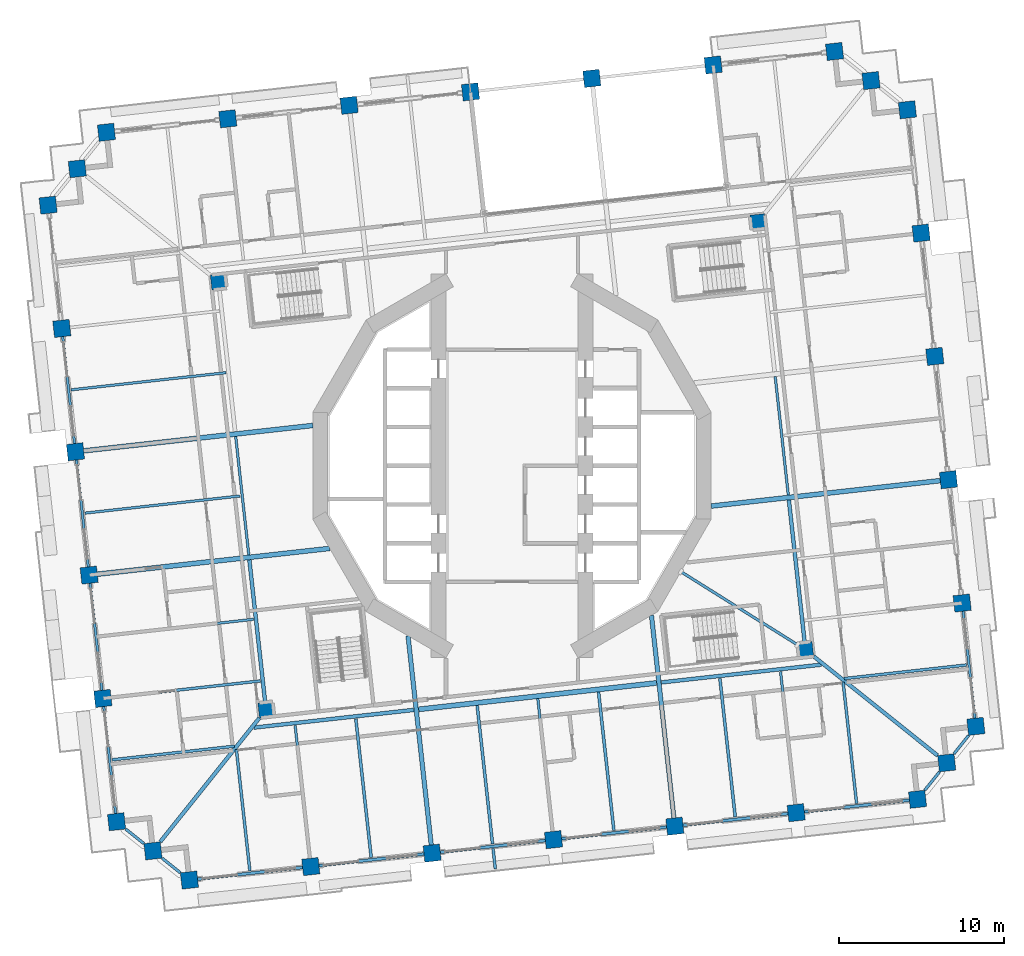
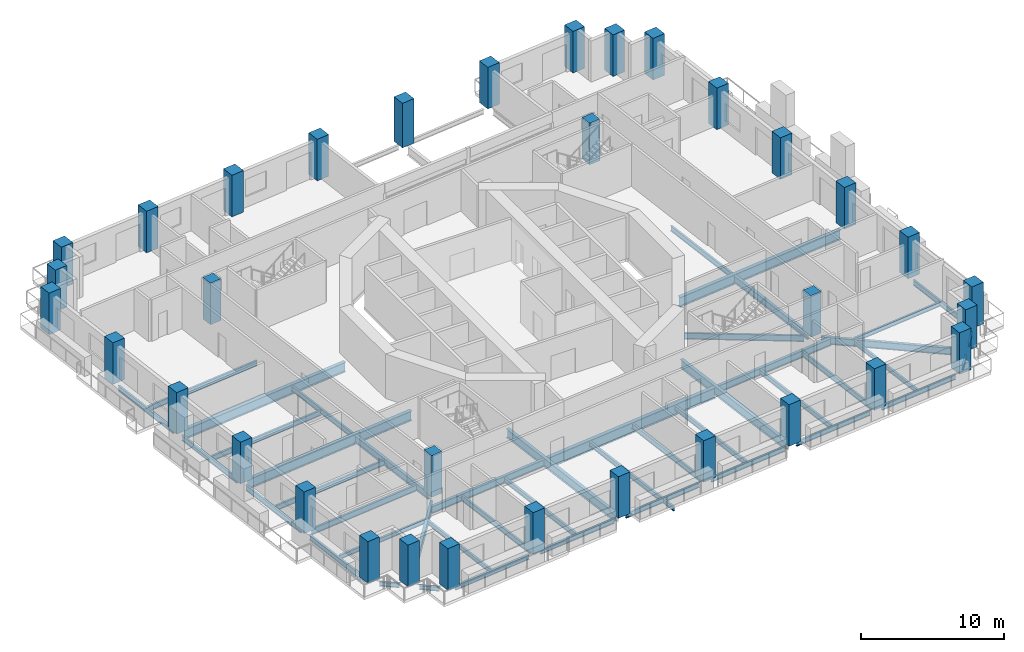
# One storey, part 1 of 20: 46 beams, 34 columns.
"""IFC4 building model written with IfcOpenShell, lengths in metres."""

from ifc_helpers import new_model, si_unit, direction, frame, origin, origin_2d, place, context, subcontext, project, spatial, rectangle, i_section, extrude, material, material_profile, profile_set, type_object, element, save


model = new_model("IFC4")

# Units and contexts
model_context = context("Model", 3, precision=1e-05, world=origin(), true_north=direction((0.0, 1.0)))
body_context = subcontext(model_context, "Body", "Model", "MODEL_VIEW")
ifc_project = project(units=[si_unit("LENGTHUNIT", "METRE"), si_unit("AREAUNIT", "SQUARE_METRE"), si_unit("VOLUMEUNIT", "CUBIC_METRE"), si_unit("PLANEANGLEUNIT", "RADIAN"), si_unit("MASSUNIT", "GRAM", prefix="KILO")], contexts=[model_context])

# Site, building, storey
site_placement = place(None, origin())
site = spatial("IfcSite", under=ifc_project, at=site_placement, CompositionType="ELEMENT")
building_placement = place(site_placement, origin())
building = spatial("IfcBuilding", under=site, at=building_placement, Name="Cantera Rosa Tower", CompositionType="ELEMENT")
storey_placement = place(building_placement, frame((0.0, 0.0, 46.300048828125)))
storey = spatial("IfcBuildingStorey", under=building, at=storey_placement, Name="L08", CompositionType="ELEMENT", Elevation=46.300048828125)

# Columns
ifc_material_1 = material(Name="Concrete C70/85", Category="concrete")
ifc_material_profile_1 = material_profile(ifc_material_1, rectangle(XDim=1.0, YDim=1.0, at=origin_2d()), Name="RC COLUMN RC1000X1000 C70/85")
ifc_profile_set_1 = profile_set([ifc_material_profile_1], Name="Concrete C70/85")
column_type_1 = type_object("IfcColumnType", Name="RC COLUMN RC1000X1000 C70/85", PredefinedType="COLUMN", material=ifc_profile_set_1)
for number, where, z_axis, x_axis, name in (
    (1, (28.114013671875, -15.795166015625, 0.0), (0.0, 0.0, 1.0), (0.993896946415, 0.110312555526, 0.0), "C-Z1-01 L08"),
    (2, (27.284423828125, -8.321044921875, 0.0), (0.0, 0.0, 1.0), (0.993896946415, 0.110312555526, 0.0), "C-Z1-02 L08"),
    (3, (26.454833984375, -0.846923828125, 0.0), (0.0, 0.0, 1.0), (0.993896946415, 0.110312555526, 0.0), "C-Z1-03 L08"),
    (4, (25.625244140625, 6.627197265625, 0.0), (0.0, 0.0, 1.0), (0.993896946415, 0.110312555526, 0.0), "C-Z1-04 L08"),
    (5, (24.795654296875, 14.101318359375, 0.0), (0.0, 0.0, 1.0), (0.993896946415, 0.110312555526, 0.0), "C-Z1-05 L08"),
    (6, (23.96630859375, 21.575439453125, 0.0), (0.0, 0.0, 1.0), (0.993896946415, 0.110312555526, 0.0), "C-Z1-06 L08"),
    (7, (21.7578125, 23.342529296875, 0.0), (0.0, 0.0, 1.0), (0.993896946415, 0.110312555526, 0.0), "C-Z1-07 L08"),
    (8, (19.54931640625, 25.10986328125, 0.0), (0.0, 0.0, 1.0), (0.993896946415, 0.110312555526, 0.0), "C-Z1-08 L08"),
    (9, (12.194580078125, 24.29345703125, 0.0), (0.0, 0.0, 1.0), (0.993896946415, 0.110312555526, 0.0), "C-Z1-09 L08"),
):
    element("IfcColumn", number, at=place(storey_placement, frame(where, z_axis=z_axis, x_axis=x_axis)), inside=storey, type_object=column_type_1, Name=name, PredefinedType="COLUMN", context=body_context, shape_type="SweptSolid", body=[
        extrude(rectangle(XDim=1.0, YDim=1.0, at=origin_2d()), origin(), (0.0, 0.0, 1.0), 3.550048828125),
    ])
column_placement = place(storey_placement, frame((4.839599609375, 23.47705078125, -0.25), z_axis=(0.0, 0.0, 1.0), x_axis=(0.993896946415, 0.110312555526, 0.0)))
element("IfcColumn", 10, at=column_placement, inside=storey, type_object=column_type_1, Name="C-Z1-10 L08", PredefinedType="COLUMN", context=body_context, shape_type="SweptSolid", body=[
    extrude(rectangle(XDim=1.0, YDim=1.0, at=origin_2d()), origin(), (0.0, 0.0, 1.0), 3.800048828125),
])
for number, where, z_axis, x_axis, name in (
    (11, (-2.51513671875, 22.660888671875, 0.0), (0.0, 0.0, 1.0), (0.993896946415, 0.110312555526, 0.0), "C-Z1-11 L08"),
    (12, (-9.869873046875, 21.844482421875, 0.0), (0.0, 0.0, 1.0), (0.993896946415, 0.110312555526, 0.0), "C-Z1-12 L08"),
    (13, (-17.224853515625, 21.0283203125, 0.0), (0.0, 0.0, 1.0), (0.993896946415, 0.110312555526, 0.0), "C-Z1-13 L08"),
    (14, (-24.57958984375, 20.2119140625, 0.0), (0.0, 0.0, 1.0), (0.993896946415, 0.110312555526, 0.0), "C-Z1-14 L08"),
    (15, (-26.346923828125, 18.00341796875, 0.0), (0.0, 0.0, 1.0), (0.993896946415, 0.110312555526, 0.0), "C-Z1-15 L08"),
    (16, (-28.114013671875, 15.795166015625, 0.0), (0.0, 0.0, 1.0), (0.993896946415, 0.110312555526, 0.0), "C-Z1-16 L08"),
    (17, (-27.284423828125, 8.321044921875, 0.0), (0.0, 0.0, 1.0), (0.993896946415, 0.110312555526, 0.0), "C-Z1-17 L08"),
    (18, (-26.454833984375, 0.846923828125, 0.0), (0.0, 0.0, 1.0), (0.993896946415, 0.110312555526, 0.0), "C-Z1-18 L08"),
    (19, (-25.625244140625, -6.627197265625, 0.0), (0.0, 0.0, 1.0), (0.993896946415, 0.110312555526, 0.0), "C-Z1-19 L08"),
    (20, (-24.795654296875, -14.101318359375, 0.0), (0.0, 0.0, 1.0), (0.993896946415, 0.110312555526, 0.0), "C-Z1-20 L08"),
    (21, (-23.96630859375, -21.575439453125, 0.0), (0.0, 0.0, 1.0), (0.993896946415, 0.110312555526, 0.0), "C-Z1-21 L08"),
    (22, (-21.7578125, -23.342529296875, 0.0), (0.0, 0.0, 1.0), (0.993896946415, 0.110312555526, 0.0), "C-Z1-22 L08"),
    (23, (-19.54931640625, -25.10986328125, 0.0), (0.0, 0.0, 1.0), (0.993896946415, 0.110312555526, 0.0), "C-Z1-23 L08"),
    (24, (-12.194580078125, -24.29345703125, 0.0), (0.0, 0.0, 1.0), (0.993896946415, 0.110312555526, 0.0), "C-Z1-24 L08"),
    (25, (-4.839599609375, -23.47705078125, 0.0), (0.0, 0.0, 1.0), (0.993896946415, 0.110312555526, 0.0), "C-Z1-25 L08"),
    (26, (2.51513671875, -22.660888671875, 0.0), (0.0, 0.0, 1.0), (0.993896946415, 0.110312555526, 0.0), "C-Z1-26 L08"),
    (27, (9.869873046875, -21.844482421875, 0.0), (0.0, 0.0, 1.0), (0.993896946415, 0.110312555526, 0.0), "C-Z1-27 L08"),
    (28, (17.224853515625, -21.0283203125, 0.0), (0.0, 0.0, 1.0), (0.993896946415, 0.110312555526, 0.0), "C-Z1-28 L08"),
    (29, (24.57958984375, -20.2119140625, 0.0), (0.0, 0.0, 1.0), (0.993896946415, 0.110312555526, 0.0), "C-Z1-29 L08"),
    (30, (26.346923828125, -18.00341796875, 0.0), (0.0, 0.0, 1.0), (0.993896946415, 0.110312555526, 0.0), "C-Z1-30 L08"),
):
    element("IfcColumn", number, at=place(storey_placement, frame(where, z_axis=z_axis, x_axis=x_axis)), inside=storey, type_object=column_type_1, Name=name, PredefinedType="COLUMN", context=body_context, shape_type="SweptSolid", body=[
        extrude(rectangle(XDim=1.0, YDim=1.0, at=origin_2d()), origin(), (0.0, 0.0, 1.0), 3.550048828125),
    ])
ifc_material_2 = material(Name="Concrete C70/85", Category="concrete")
ifc_material_profile_2 = material_profile(ifc_material_2, rectangle(XDim=0.89990234375, YDim=0.89990234375, at=origin_2d()), Name="RC RING COLUMN RC900X900 C70/85")
ifc_profile_set_2 = profile_set([ifc_material_profile_2], Name="Concrete C70/85")
column_type_2 = type_object("IfcColumnType", Name="RC RING COLUMN RC900X900 C70/85", PredefinedType="COLUMN", material=ifc_profile_set_2)
for number, where, z_axis, x_axis, name in (
    (31, (14.909912109375, 14.784912109375, 0.0), (0.0, 0.0, 1.0), (0.993896946415, 0.110312555526, 0.0), "CI-Z1-1 L08"),
    (32, (-17.7890625, 11.15576171875, 0.0), (0.0, 0.0, 1.0), (0.993896946415, 0.110312555526, 0.0), "CI-Z1-2 L08"),
    (33, (-14.909912109375, -14.784912109375, 0.0), (0.0, 0.0, 1.0), (0.993896946415, 0.110312555526, 0.0), "CI-Z1-3 L08"),
    (34, (17.7890625, -11.15576171875, 0.0), (0.0, 0.0, 1.0), (0.993896946415, 0.110312555526, 0.0), "CI-Z1-4 L08"),
):
    element("IfcColumn", number, at=place(storey_placement, frame(where, z_axis=z_axis, x_axis=x_axis)), inside=storey, type_object=column_type_2, Name=name, PredefinedType="COLUMN", context=body_context, shape_type="SweptSolid", body=[
        extrude(rectangle(XDim=0.89990234375, YDim=0.89990234375, at=origin_2d()), origin(), (0.0, 0.0, 1.0), 3.550048828125),
    ])

# Beams
ifc_material_3 = material(Name="Steel ASTM A992 (Fy 345 MPa)", Category="steel")
ifc_material_profile_3 = material_profile(ifc_material_3, i_section(OverallWidth=0.154052734375, OverallDepth=0.4599609375, WebThickness=0.009033203125, FlangeThickness=0.015380859375, FilletRadius=0.01025390625, at=origin_2d()), Name="W460X68")
ifc_profile_set_3 = profile_set([ifc_material_profile_3], Name="Steel ASTM A992 (Fy 345 MPa)")
beam_type_1 = type_object("IfcBeamType", Name="STEEL BEAM W460X68", PredefinedType="BEAM", material=ifc_profile_set_3)
beam_1_placement = place(storey_placement, frame((-12.249755859375, -23.796630859375, -0.47998046875), z_axis=(-0.110312435488, 0.993896959738, 0.0), x_axis=(-0.993896959738, -0.110312435488, 0.0)))
element("IfcBeam", 35, at=beam_1_placement, inside=storey, type_object=beam_type_1, Name="G-Z1-10 L08", PredefinedType="BEAM", context=body_context, shape_type="SweptSolid", body=[
    extrude(i_section(OverallWidth=0.154052734375, OverallDepth=0.4599609375, WebThickness=0.009033203125, FlangeThickness=0.015380859375, FilletRadius=0.01025390625, at=origin_2d()), origin(), (0.0, 0.0, 1.0), 8.10009765625),
])
for number, where, z_axis, x_axis, name in (
    (36, (2.4599609375, -22.163818359375, -0.47998046875), (-0.110315740112, 0.993896592953, 0.0), (-0.993896592953, -0.110315740112, 0.0), "G-Z1-12 L08"),
    (37, (17.169677734375, -20.53125, -0.47998046875), (-0.110315740112, 0.993896592953, 0.0), (-0.993896592953, -0.110315740112, 0.0), "G-Z1-14 L08"),
):
    element("IfcBeam", number, at=place(storey_placement, frame(where, z_axis=z_axis, x_axis=x_axis)), inside=storey, type_object=beam_type_1, Name=name, PredefinedType="BEAM", context=body_context, shape_type="SweptSolid", body=[
        extrude(i_section(OverallWidth=0.154052734375, OverallDepth=0.4599609375, WebThickness=0.009033203125, FlangeThickness=0.015380859375, FilletRadius=0.01025390625, at=origin_2d()), origin(), (0.0, 0.0, 1.0), 8.099853515625),
    ])
for number, where, z_axis, x_axis, name in (
    (38, (16.747802734375, -1.7734375, -0.47998046875), (-0.110301629462, 0.993898159037, 0.0), (-0.993898159037, -0.110301629462, 0.0), "RB-Z1-08 L08"),
    (39, (-15.951416015625, -5.402587890625, -0.47998046875), (-0.110301629462, 0.993898159037, 0.0), (-0.993898159037, -0.110301629462, 0.0), "RB-Z1-11 L08"),
):
    element("IfcBeam", number, at=place(storey_placement, frame(where, z_axis=z_axis, x_axis=x_axis)), inside=storey, type_object=beam_type_1, Name=name, PredefinedType="BEAM", context=body_context, shape_type="SweptSolid", body=[
        extrude(i_section(OverallWidth=0.154052734375, OverallDepth=0.4599609375, WebThickness=0.009033203125, FlangeThickness=0.015380859375, FilletRadius=0.01025390625, at=origin_2d()), origin(), (0.0, 0.0, 1.0), 7.219970703125),
    ])
ifc_material_4 = material(Name="Steel ASTM A992 (Fy 345 MPa)", Category="steel")
ifc_material_profile_4 = material_profile(ifc_material_4, i_section(OverallWidth=0.166015625, OverallDepth=0.528076171875, WebThickness=0.009765625, FlangeThickness=0.013671875, FilletRadius=0.0126953125, at=origin_2d()), Name="W530X74")
ifc_profile_set_4 = profile_set([ifc_material_profile_4], Name="Steel ASTM A992 (Fy 345 MPa)")
beam_type_2 = type_object("IfcBeamType", Name="STEEL BEAM W530X74", PredefinedType="BEAM", material=ifc_profile_set_4)
beam_2_placement = place(storey_placement, frame((-24.298828125, -14.046142578125, -0.51416015625), z_axis=(0.993896161189, 0.110319630049, 0.0), x_axis=(-0.110319630049, 0.993896161189, 0.0)))
element("IfcBeam", 40, at=beam_2_placement, inside=storey, type_object=beam_type_2, Name="G-Z1-18 L08", PredefinedType="BEAM", context=body_context, shape_type="SweptSolid", body=[
    extrude(i_section(OverallWidth=0.166015625, OverallDepth=0.528076171875, WebThickness=0.009765625, FlangeThickness=0.013671875, FilletRadius=0.0126953125, at=origin_2d()), origin(), (0.0, 0.0, 1.0), 9.10009765625),
])
beam_3_placement = place(storey_placement, frame((17.302490234375, -10.8505859375, -0.51416015625), z_axis=(-0.847189957301, 0.531290105543, 0.0), x_axis=(-0.531290105543, -0.847189957301, 0.0)))
element("IfcBeam", 41, at=beam_3_placement, inside=storey, type_object=beam_type_2, Name="PG-Z1-01 L08", PredefinedType="BEAM", context=body_context, shape_type="SweptSolid", body=[
    extrude(i_section(OverallWidth=0.166015625, OverallDepth=0.528076171875, WebThickness=0.009765625, FlangeThickness=0.013671875, FilletRadius=0.0126953125, at=origin_2d()), origin(), (0.0, 0.0, 1.0), 8.34130859375),
])
ifc_material_5 = material(Name="Steel ASTM A992 (Fy 345 MPa)", Category="steel")
ifc_material_profile_5 = material_profile(ifc_material_5, i_section(OverallWidth=0.22802734375, OverallDepth=0.60205078125, WebThickness=0.010498046875, FlangeThickness=0.014892578125, FilletRadius=0.0126953125, at=origin_2d()), Name="W610X101")
ifc_profile_set_5 = profile_set([ifc_material_profile_5], Name="Steel ASTM A992 (Fy 345 MPa)")
beam_type_3 = type_object("IfcBeamType", Name="STEEL BEAM W610X101", PredefinedType="BEAM", material=ifc_profile_set_5)
beam_4_placement = place(storey_placement, frame((-21.31591796875, -22.79052734375, -0.551025390625), z_axis=(0.624787924463, 0.780794498857, 0.0), x_axis=(-0.780794498857, 0.624787924463, 0.0)))
element("IfcBeam", 42, at=beam_4_placement, inside=storey, type_object=beam_type_3, Name="CB-Z1-03 L08", PredefinedType="BEAM", context=body_context, shape_type="SweptSolid", body=[
    extrude(i_section(OverallWidth=0.22802734375, OverallDepth=0.60205078125, WebThickness=0.010498046875, FlangeThickness=0.014892578125, FilletRadius=0.0126953125, at=origin_2d()), origin(), (0.0, 0.0, 1.0), 9.616455078125),
])
beam_5_placement = place(storey_placement, frame((25.794677734375, -17.561767578125, -0.551025390625), z_axis=(-0.78078211406, 0.62480340137, 0.0), x_axis=(-0.62480340137, -0.78078211406, 0.0)))
element("IfcBeam", 43, at=beam_5_placement, inside=storey, type_object=beam_type_3, Name="CB-Z1-04 L08", PredefinedType="BEAM", context=body_context, shape_type="SweptSolid", body=[
    extrude(i_section(OverallWidth=0.22802734375, OverallDepth=0.60205078125, WebThickness=0.010498046875, FlangeThickness=0.014892578125, FilletRadius=0.0126953125, at=origin_2d()), origin(), (0.0, 0.0, 1.0), 9.61669921875),
])
for number, where, z_axis, x_axis, name in (
    (44, (17.739501953125, -10.70849609375, -0.551025390625), (-0.110298932846, 0.993898458301, 0.0), (-0.993898458301, -0.110298932846, 0.0), "RB-Z1-07 L08"),
    (45, (-14.959716796875, -14.337646484375, -0.551025390625), (-0.110298932846, 0.993898458301, 0.0), (-0.993898458301, -0.110298932846, 0.0), "RB-Z1-10 L08"),
):
    element("IfcBeam", number, at=place(storey_placement, frame(where, z_axis=z_axis, x_axis=x_axis)), inside=storey, type_object=beam_type_3, Name=name, PredefinedType="BEAM", context=body_context, shape_type="SweptSolid", body=[
        extrude(i_section(OverallWidth=0.22802734375, OverallDepth=0.60205078125, WebThickness=0.010498046875, FlangeThickness=0.014892578125, FilletRadius=0.0126953125, at=origin_2d()), origin(), (0.0, 0.0, 1.0), 8.68994140625),
    ])
ifc_material_6 = material(Name="Steel ASTM A992 (Fy 345 MPa)", Category="steel")
ifc_material_profile_6 = material_profile(ifc_material_6, i_section(OverallWidth=0.22900390625, OverallDepth=0.612060546875, WebThickness=0.011962890625, FlangeThickness=0.01953125, FilletRadius=0.0126953125, at=origin_2d()), Name="W610X125")
ifc_profile_set_6 = profile_set([ifc_material_profile_6], Name="Steel ASTM A992 (Fy 345 MPa)")
beam_type_4 = type_object("IfcBeamType", Name="STEEL BEAM W610X125", PredefinedType="BEAM", material=ifc_profile_set_6)
beam_6_placement = place(storey_placement, frame((-15.64453125, -15.87255859375, -0.55615234375), z_axis=(0.993898078625, 0.110302354035, 0.0), x_axis=(-0.110302354035, 0.993898078625, 0.0)))
element("IfcBeam", 46, at=beam_6_placement, inside=storey, type_object=beam_type_4, Name="RB-Z1-04 L08", PredefinedType="BEAM", context=body_context, shape_type="SweptSolid", body=[
    extrude(i_section(OverallWidth=0.22900390625, OverallDepth=0.612060546875, WebThickness=0.011962890625, FlangeThickness=0.01953125, FilletRadius=0.0126953125, at=origin_2d()), origin(), (0.0, 0.0, 1.0), 9.75),
])
beam_7_placement = place(storey_placement, frame((9.0537109375, -13.13134765625, -0.55615234375), z_axis=(0.993898383269, 0.110299608956, 0.0), x_axis=(-0.110299608956, 0.993898383269, 0.0)))
element("IfcBeam", 47, at=beam_7_placement, inside=storey, type_object=beam_type_4, Name="RB-Z1-06 L08", PredefinedType="BEAM", context=body_context, shape_type="SweptSolid", body=[
    extrude(i_section(OverallWidth=0.22900390625, OverallDepth=0.612060546875, WebThickness=0.011962890625, FlangeThickness=0.01953125, FilletRadius=0.0126953125, at=origin_2d()), origin(), (0.0, 0.0, 1.0), 9.750244140625),
])
ifc_material_7 = material(Name="Steel ASTM A992 (Fy 345 MPa)", Category="steel")
ifc_material_profile_7 = material_profile(ifc_material_7, i_section(OverallWidth=0.26708984375, OverallDepth=0.75390625, WebThickness=0.01318359375, FlangeThickness=0.01708984375, FilletRadius=0.0166015625, at=origin_2d()), Name="W760X147")
ifc_profile_set_7 = profile_set([ifc_material_profile_7], Name="Steel ASTM A992 (Fy 345 MPa)")
beam_type_5 = type_object("IfcBeamType", Name="STEEL BEAM W760X147", PredefinedType="BEAM", material=ifc_profile_set_7)
beam_8_placement = place(storey_placement, frame((-4.894775390625, -22.980224609375, -0.626953125), z_axis=(-0.11031177493, 0.993897033053, 0.0), x_axis=(-0.993897033053, -0.11031177493, 0.0)))
element("IfcBeam", 48, at=beam_8_placement, inside=storey, type_object=beam_type_5, Name="G-Z1-11 L08", PredefinedType="BEAM", context=body_context, shape_type="SweptSolid", body=[
    extrude(i_section(OverallWidth=0.26708984375, OverallDepth=0.75390625, WebThickness=0.01318359375, FlangeThickness=0.01708984375, FilletRadius=0.0166015625, at=origin_2d()), origin(), (0.0, 0.0, 1.0), 12.754638671875),
])
beam_9_placement = place(storey_placement, frame((9.814697265625, -21.34765625, -0.626953125), z_axis=(-0.110292782244, 0.993899140851, 0.0), x_axis=(-0.993899140851, -0.110292782244, 0.0)))
element("IfcBeam", 49, at=beam_9_placement, inside=storey, type_object=beam_type_5, Name="G-Z1-13 L08", PredefinedType="BEAM", context=body_context, shape_type="SweptSolid", body=[
    extrude(i_section(OverallWidth=0.26708984375, OverallDepth=0.75390625, WebThickness=0.01318359375, FlangeThickness=0.01708984375, FilletRadius=0.0166015625, at=origin_2d()), origin(), (0.0, 0.0, 1.0), 12.360595703125),
])
ifc_material_8 = material(Name="Steel ASTM A992 (Fy 345 MPa)", Category="steel")
ifc_material_profile_8 = material_profile(ifc_material_8, i_section(OverallWidth=0.2919921875, OverallDepth=0.8359375, WebThickness=0.013916015625, FlangeThickness=0.018798828125, FilletRadius=0.017822265625, at=origin_2d()), Name="W840X176")
ifc_profile_set_8 = profile_set([ifc_material_profile_8], Name="Steel ASTM A992 (Fy 345 MPa)")
beam_type_6 = type_object("IfcBeamType", Name="STEEL BEAM W840X176", PredefinedType="BEAM", material=ifc_profile_set_8)
for number, where, z_axis, x_axis, name in (
    (50, (25.9580078125, -0.902099609375, -0.66796875), (-0.993898644981, -0.110297250672, 0.0), (0.110297250672, -0.993898644981, 0.0), "G-Z1-02 L08"),
    (51, (-25.9580078125, 0.902099609375, -0.66796875), (0.993898644981, 0.110297250672, 0.0), (-0.110297250672, 0.993898644981, 0.0), "G-Z1-16 L08"),
):
    element("IfcBeam", number, at=place(storey_placement, frame(where, z_axis=z_axis, x_axis=x_axis)), inside=storey, type_object=beam_type_6, Name=name, PredefinedType="BEAM", context=body_context, shape_type="SweptSolid", body=[
        extrude(i_section(OverallWidth=0.2919921875, OverallDepth=0.8359375, WebThickness=0.013916015625, FlangeThickness=0.018798828125, FilletRadius=0.017822265625, at=origin_2d()), origin(), (0.0, 0.0, 1.0), 13.96923828125),
    ])
beam_10_placement = place(storey_placement, frame((-25.12841796875, -6.572021484375, -0.66796875), z_axis=(0.993897599241, 0.110306673519, 0.0), x_axis=(-0.110306673519, 0.993897599241, 0.0)))
element("IfcBeam", 52, at=beam_10_placement, inside=storey, type_object=beam_type_6, Name="G-Z1-17 L08", PredefinedType="BEAM", context=body_context, shape_type="SweptSolid", body=[
    extrude(i_section(OverallWidth=0.2919921875, OverallDepth=0.8359375, WebThickness=0.013916015625, FlangeThickness=0.018798828125, FilletRadius=0.017822265625, at=origin_2d()), origin(), (0.0, 0.0, 1.0), 14.1650390625),
])
ifc_material_9 = material(Name="Steel ASTM A992 (Fy 345 MPa)", Category="steel")
ifc_material_profile_9 = material_profile(ifc_material_9, i_section(OverallWidth=0.304931640625, OverallDepth=0.9189453125, WebThickness=0.017333984375, FlangeThickness=0.02783203125, FilletRadius=0.01904296875, at=origin_2d()), Name="W920X253")
ifc_profile_set_9 = profile_set([ifc_material_profile_9], Name="Steel ASTM A992 (Fy 345 MPa)")
beam_type_7 = type_object("IfcBeamType", Name="STEEL BEAM W920X253", PredefinedType="BEAM", material=ifc_profile_set_9)
beam_11_placement = place(storey_placement, frame((-5.65576171875, -14.763916015625, -0.70947265625), z_axis=(0.993898099692, 0.110302164209, 0.0), x_axis=(-0.110302164209, 0.993898099692, 0.0)))
element("IfcBeam", 53, at=beam_11_placement, inside=storey, type_object=beam_type_7, Name="RB-Z1-05 L08", PredefinedType="BEAM", context=body_context, shape_type="SweptSolid", body=[
    extrude(i_section(OverallWidth=0.304931640625, OverallDepth=0.9189453125, WebThickness=0.017333984375, FlangeThickness=0.02783203125, FilletRadius=0.01904296875, at=origin_2d()), origin(), (0.0, 0.0, 1.0), 14.499755859375),
])
ifc_material_10 = material(Name="Steel ASTM A992 (Fy 345 MPa)", Category="steel")
ifc_material_profile_10 = material_profile(ifc_material_10, i_section(OverallWidth=0.1708984375, OverallDepth=0.35595703125, WebThickness=0.00732421875, FlangeThickness=0.01171875, FilletRadius=0.010009765625, at=origin_2d()), Name="W360X51")
ifc_profile_set_10 = profile_set([ifc_material_profile_10], Name="Steel ASTM A992 (Fy 345 MPa)")
beam_type_8 = type_object("IfcBeamType", Name="STEEL JOIST W360X51", PredefinedType="JOIST", material=ifc_profile_set_10)
beam_12_placement = place(storey_placement, frame((27.550048828125, -12.074462890625, -0.427978515625), z_axis=(-0.993895702238, -0.110323764768, 0.0), x_axis=(0.110323764768, -0.993895702238, 0.0)))
element("IfcBeam", 54, at=beam_12_placement, inside=storey, type_object=beam_type_8, Name="B-Z1-01 L08", PredefinedType="JOIST", context=body_context, shape_type="SweptSolid", body=[
    extrude(i_section(OverallWidth=0.1708984375, OverallDepth=0.35595703125, WebThickness=0.00732421875, FlangeThickness=0.01171875, FilletRadius=0.010009765625, at=origin_2d()), origin(), (0.0, 0.0, 1.0), 7.4599609375),
])
for number, where, z_axis, x_axis, name in (
    (55, (-15.888427734375, -24.552490234375, -0.427978515625), (-0.110326513132, 0.993895397162, 0.0), (-0.993895397162, -0.110326513132, 0.0), "B-Z1-12 L08"),
    (56, (20.8857421875, -20.470947265625, -0.427978515625), (-0.110326513132, 0.993895397162, 0.0), (-0.993895397162, -0.110326513132, 0.0), "B-Z1-17 L08"),
):
    element("IfcBeam", number, at=place(storey_placement, frame(where, z_axis=z_axis, x_axis=x_axis)), inside=storey, type_object=beam_type_8, Name=name, PredefinedType="JOIST", context=body_context, shape_type="SweptSolid", body=[
        extrude(i_section(OverallWidth=0.1708984375, OverallDepth=0.35595703125, WebThickness=0.00732421875, FlangeThickness=0.01171875, FilletRadius=0.010009765625, at=origin_2d()), origin(), (0.0, 0.0, 1.0), 7.39990234375),
    ])
beam_13_placement = place(storey_placement, frame((-24.23193359375, -17.82177734375, -0.427978515625), z_axis=(0.993899688369, 0.110287848199, 0.0), x_axis=(-0.110287848199, 0.993899688369, 0.0)))
element("IfcBeam", 57, at=beam_13_placement, inside=storey, type_object=beam_type_8, Name="B-Z1-22 L08", PredefinedType="JOIST", context=body_context, shape_type="SweptSolid", body=[
    extrude(i_section(OverallWidth=0.1708984375, OverallDepth=0.35595703125, WebThickness=0.00732421875, FlangeThickness=0.01171875, FilletRadius=0.010009765625, at=origin_2d()), origin(), (0.0, 0.0, 1.0), 7.4599609375),
])
beam_14_placement = place(storey_placement, frame((-1.14794921875, -23.1982421875, -0.427978515625), z_axis=(0.110345783203, -0.993893257915, 0.0), x_axis=(0.993893257915, 0.110345783203, 0.0)))
element("IfcBeam", 58, at=beam_14_placement, inside=storey, type_object=beam_type_8, Name="BS-Z1-02 L08", PredefinedType="JOIST", context=body_context, shape_type="SweptSolid", body=[
    extrude(i_section(OverallWidth=0.1708984375, OverallDepth=0.35595703125, WebThickness=0.00732421875, FlangeThickness=0.01171875, FilletRadius=0.010009765625, at=origin_2d()), origin(), (0.0, 0.0, 1.0), 1.25),
])
ifc_material_11 = material(Name="Steel ASTM A992 (Fy 345 MPa)", Category="steel")
ifc_material_profile_11 = material_profile(ifc_material_11, i_section(OverallWidth=0.177978515625, OverallDepth=0.406005859375, WebThickness=0.0078125, FlangeThickness=0.0126953125, FilletRadius=0.01025390625, at=origin_2d()), Name="W410X60")
ifc_profile_set_11 = profile_set([ifc_material_profile_11], Name="Steel ASTM A992 (Fy 345 MPa)")
beam_type_9 = type_object("IfcBeamType", Name="STEEL JOIST W410X60", PredefinedType="JOIST", material=ifc_profile_set_11)
for number, where, z_axis, x_axis, name in (
    (59, (-8.53369140625, -23.736328125, -0.453125), (-0.110311022989, 0.99389711651, 0.0), (-0.99389711651, -0.110311022989, 0.0), "B-Z1-13 L08"),
    (60, (-1.178955078125, -22.919921875, -0.453125), (-0.110311022989, 0.99389711651, 0.0), (-0.99389711651, -0.110311022989, 0.0), "B-Z1-14 L08"),
    (61, (6.176025390625, -22.103515625, -0.453125), (-0.110311022989, 0.99389711651, 0.0), (-0.99389711651, -0.110311022989, 0.0), "B-Z1-15 L08"),
    (62, (13.53076171875, -21.287353515625, -0.453125), (-0.110311022989, 0.99389711651, 0.0), (-0.99389711651, -0.110311022989, 0.0), "B-Z1-16 L08"),
):
    element("IfcBeam", number, at=place(storey_placement, frame(where, z_axis=z_axis, x_axis=x_axis)), inside=storey, type_object=beam_type_9, Name=name, PredefinedType="JOIST", context=body_context, shape_type="SweptSolid", body=[
        extrude(i_section(OverallWidth=0.177978515625, OverallDepth=0.406005859375, WebThickness=0.0078125, FlangeThickness=0.0126953125, FilletRadius=0.01025390625, at=origin_2d()), origin(), (0.0, 0.0, 1.0), 8.449951171875),
    ])
ifc_material_12 = material(Name="Steel ASTM A992 (Fy 345 MPa)", Category="steel")
ifc_material_profile_12 = material_profile(ifc_material_12, i_section(OverallWidth=0.154052734375, OverallDepth=0.4599609375, WebThickness=0.009033203125, FlangeThickness=0.015380859375, FilletRadius=0.01025390625, at=origin_2d()), Name="W460X68")
ifc_profile_set_12 = profile_set([ifc_material_profile_12], Name="Steel ASTM A992 (Fy 345 MPa)")
beam_type_10 = type_object("IfcBeamType", Name="STEEL JOIST W460X68", PredefinedType="JOIST", material=ifc_profile_set_12)
for number, where, z_axis, x_axis, name in (
    (63, (-26.720458984375, 4.600341796875, -0.47998046875), (0.993896645353, 0.110315268011, 0.0), (-0.110315268011, 0.993896645353, 0.0), "B-Z1-19 L08"),
    (64, (-25.89111328125, -2.87353515625, -0.47998046875), (0.993899477629, 0.110289747342, 0.0), (-0.110289747342, 0.993899477629, 0.0), "B-Z1-20 L08"),
    (65, (-25.0615234375, -10.34765625, -0.47998046875), (0.993896645353, 0.110315268011, 0.0), (-0.110315268011, 0.993896645353, 0.0), "B-Z1-21 L08"),
):
    element("IfcBeam", number, at=place(storey_placement, frame(where, z_axis=z_axis, x_axis=x_axis)), inside=storey, type_object=beam_type_10, Name=name, PredefinedType="JOIST", context=body_context, shape_type="SweptSolid", body=[
        extrude(i_section(OverallWidth=0.154052734375, OverallDepth=0.4599609375, WebThickness=0.009033203125, FlangeThickness=0.015380859375, FilletRadius=0.01025390625, at=origin_2d()), origin(), (0.0, 0.0, 1.0), 9.449951171875),
    ])
ifc_material_13 = material(Name="Steel ASTM A992 (Fy 345 MPa)", Category="steel")
ifc_material_profile_13 = material_profile(ifc_material_13, i_section(OverallWidth=0.1708984375, OverallDepth=0.35595703125, WebThickness=0.00732421875, FlangeThickness=0.01171875, FilletRadius=0.010009765625, at=origin_2d()), Name="W360X51")
ifc_profile_set_13 = profile_set([ifc_material_profile_13], Name="Steel ASTM A992 (Fy 345 MPa)")
beam_type_11 = type_object("IfcBeamType", Name="STEEL SPANDREL BEAM W360X51", PredefinedType="SPANDREL", material=ifc_profile_set_13)
for number, where, z_axis, x_axis, name in (
    (66, (-23.4140625, -22.017333984375, -0.427978515625), (0.780818280208, -0.624758203863, 0.0), (0.624758203863, 0.780818280208, 0.0), "EB-Z1-21 L08"),
    (67, (-21.205810546875, -23.784423828125, -0.427978515625), (0.780818280208, -0.624758203863, 0.0), (0.624758203863, 0.780818280208, 0.0), "EB-Z1-22 L08"),
    (68, (25.021484375, -19.659912109375, -0.427978515625), (0.624758203863, 0.780818280208, 0.0), (-0.780818280208, 0.624758203863, 0.0), "EB-Z1-29 L08"),
    (69, (26.78857421875, -17.451416015625, -0.427978515625), (0.624758203863, 0.780818280208, 0.0), (-0.780818280208, 0.624758203863, 0.0), "EB-Z1-30 L08"),
):
    element("IfcBeam", number, at=place(storey_placement, frame(where, z_axis=z_axis, x_axis=x_axis)), inside=storey, type_object=beam_type_11, Name=name, PredefinedType="SPANDREL", context=body_context, shape_type="SweptSolid", body=[
        extrude(i_section(OverallWidth=0.1708984375, OverallDepth=0.35595703125, WebThickness=0.00732421875, FlangeThickness=0.01171875, FilletRadius=0.010009765625, at=origin_2d()), origin(), (0.0, 0.0, 1.0), 1.414306640625),
    ])
ifc_material_14 = material(Name="Steel ASTM A992 (Fy 345 MPa)", Category="steel")
ifc_material_profile_14 = material_profile(ifc_material_14, i_section(OverallWidth=0.177978515625, OverallDepth=0.406005859375, WebThickness=0.0078125, FlangeThickness=0.0126953125, FilletRadius=0.01025390625, at=origin_2d()), Name="W410X60")
ifc_profile_set_14 = profile_set([ifc_material_profile_14], Name="Steel ASTM A992 (Fy 345 MPa)")
beam_type_12 = type_object("IfcBeamType", Name="STEEL SPANDREL BEAM W410X60", PredefinedType="SPANDREL", material=ifc_profile_set_14)
beam_15_placement = place(storey_placement, frame((-19.052490234375, -25.0546875, -0.453125), z_axis=(0.993896288542, 0.110318482689, 0.0), x_axis=(-0.110318482689, 0.993896288542, 0.0)))
element("IfcBeam", 70, at=beam_15_placement, inside=storey, type_object=beam_type_12, Name="EB-Z1-23 L08", PredefinedType="SPANDREL", context=body_context, shape_type="SweptSolid", body=[
    extrude(i_section(OverallWidth=0.177978515625, OverallDepth=0.406005859375, WebThickness=0.0078125, FlangeThickness=0.0126953125, FilletRadius=0.01025390625, at=origin_2d()), origin(), (0.0, 0.0, 1.0), 6.400146484375),
])
for number, where, z_axis, x_axis, name in (
    (71, (-11.697509765625, -24.23828125, -0.453125), (0.993895824271, 0.110322665379, 0.0), (-0.110322665379, 0.993895824271, 0.0), "EB-Z1-24 L08"),
    (72, (-4.3427734375, -23.422119140625, -0.453125), (0.993895824271, 0.110322665379, 0.0), (-0.110322665379, 0.993895824271, 0.0), "EB-Z1-25 L08"),
):
    element("IfcBeam", number, at=place(storey_placement, frame(where, z_axis=z_axis, x_axis=x_axis)), inside=storey, type_object=beam_type_12, Name=name, PredefinedType="SPANDREL", context=body_context, shape_type="SweptSolid", body=[
        extrude(i_section(OverallWidth=0.177978515625, OverallDepth=0.406005859375, WebThickness=0.0078125, FlangeThickness=0.0126953125, FilletRadius=0.01025390625, at=origin_2d()), origin(), (0.0, 0.0, 1.0), 6.39990234375),
    ])
beam_16_placement = place(storey_placement, frame((3.011962890625, -22.605712890625, -0.453125), z_axis=(0.993896288542, 0.110318482689, 0.0), x_axis=(-0.110318482689, 0.993896288542, 0.0)))
element("IfcBeam", 73, at=beam_16_placement, inside=storey, type_object=beam_type_12, Name="EB-Z1-26 L08", PredefinedType="SPANDREL", context=body_context, shape_type="SweptSolid", body=[
    extrude(i_section(OverallWidth=0.177978515625, OverallDepth=0.406005859375, WebThickness=0.0078125, FlangeThickness=0.0126953125, FilletRadius=0.01025390625, at=origin_2d()), origin(), (0.0, 0.0, 1.0), 6.400146484375),
])
beam_17_placement = place(storey_placement, frame((10.366943359375, -21.789306640625, -0.453125), z_axis=(0.993900006422, 0.110284981906, 0.0), x_axis=(-0.110284981906, 0.993900006422, 0.0)))
element("IfcBeam", 74, at=beam_17_placement, inside=storey, type_object=beam_type_12, Name="EB-Z1-27 L08", PredefinedType="SPANDREL", context=body_context, shape_type="SweptSolid", body=[
    extrude(i_section(OverallWidth=0.177978515625, OverallDepth=0.406005859375, WebThickness=0.0078125, FlangeThickness=0.0126953125, FilletRadius=0.01025390625, at=origin_2d()), origin(), (0.0, 0.0, 1.0), 6.39990234375),
])
beam_18_placement = place(storey_placement, frame((17.7216796875, -20.97314453125, -0.453125), z_axis=(0.993896288542, 0.110318482689, 0.0), x_axis=(-0.110318482689, 0.993896288542, 0.0)))
element("IfcBeam", 75, at=beam_18_placement, inside=storey, type_object=beam_type_12, Name="EB-Z1-28 L08", PredefinedType="SPANDREL", context=body_context, shape_type="SweptSolid", body=[
    extrude(i_section(OverallWidth=0.177978515625, OverallDepth=0.406005859375, WebThickness=0.0078125, FlangeThickness=0.0126953125, FilletRadius=0.01025390625, at=origin_2d()), origin(), (0.0, 0.0, 1.0), 6.400146484375),
])
ifc_material_15 = material(Name="Steel ASTM A992 (Fy 345 MPa)", Category="steel")
ifc_material_profile_15 = material_profile(ifc_material_15, i_section(OverallWidth=0.154052734375, OverallDepth=0.4599609375, WebThickness=0.009033203125, FlangeThickness=0.015380859375, FilletRadius=0.01025390625, at=origin_2d()), Name="W460X68")
ifc_profile_set_15 = profile_set([ifc_material_profile_15], Name="Steel ASTM A992 (Fy 345 MPa)")
beam_type_13 = type_object("IfcBeamType", Name="STEEL SPANDREL BEAM W460X68", PredefinedType="SPANDREL", material=ifc_profile_set_15)
for number, where, z_axis, x_axis, name in (
    (76, (28.058837890625, -15.298095703125, -0.47998046875), (-0.110312341265, 0.993896970196, 0.0), (-0.993896970196, -0.110312341265, 0.0), "EB-Z1-01 L08"),
    (77, (-27.229248046875, 7.823974609375, -0.47998046875), (0.110312341265, -0.993896970196, 0.0), (0.993896970196, 0.110312341265, 0.0), "EB-Z1-17 L08"),
    (78, (-26.399658203125, 0.349853515625, -0.47998046875), (0.110312341265, -0.993896970196, 0.0), (0.993896970196, 0.110312341265, 0.0), "EB-Z1-18 L08"),
    (79, (-25.570068359375, -7.124267578125, -0.47998046875), (0.110312341265, -0.993896970196, 0.0), (0.993896970196, 0.110312341265, 0.0), "EB-Z1-19 L08"),
    (80, (-24.74072265625, -14.598388671875, -0.47998046875), (0.110312341265, -0.993896970196, 0.0), (0.993896970196, 0.110312341265, 0.0), "EB-Z1-20 L08"),
):
    element("IfcBeam", number, at=place(storey_placement, frame(where, z_axis=z_axis, x_axis=x_axis)), inside=storey, type_object=beam_type_13, Name=name, PredefinedType="SPANDREL", context=body_context, shape_type="SweptSolid", body=[
        extrude(i_section(OverallWidth=0.154052734375, OverallDepth=0.4599609375, WebThickness=0.009033203125, FlangeThickness=0.015380859375, FilletRadius=0.01025390625, at=origin_2d()), origin(), (0.0, 0.0, 1.0), 6.52001953125),
    ])

save(model, "model.ifc")
